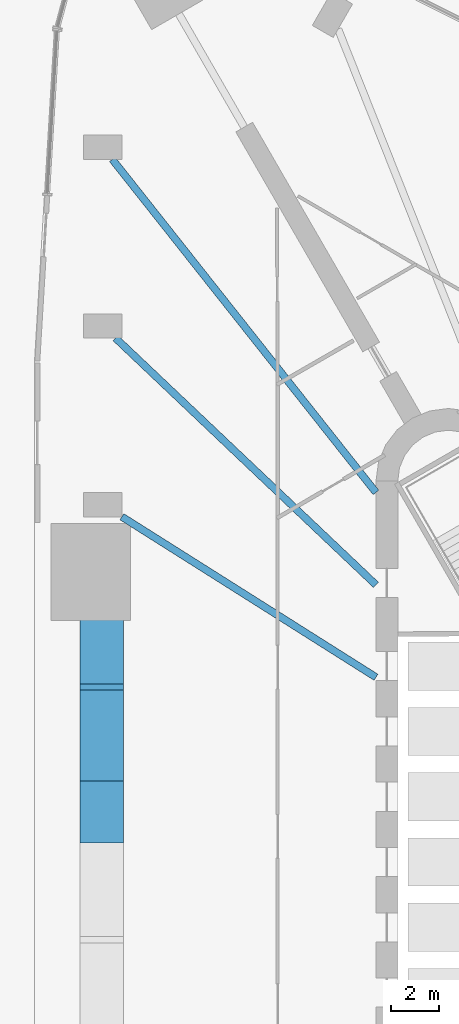
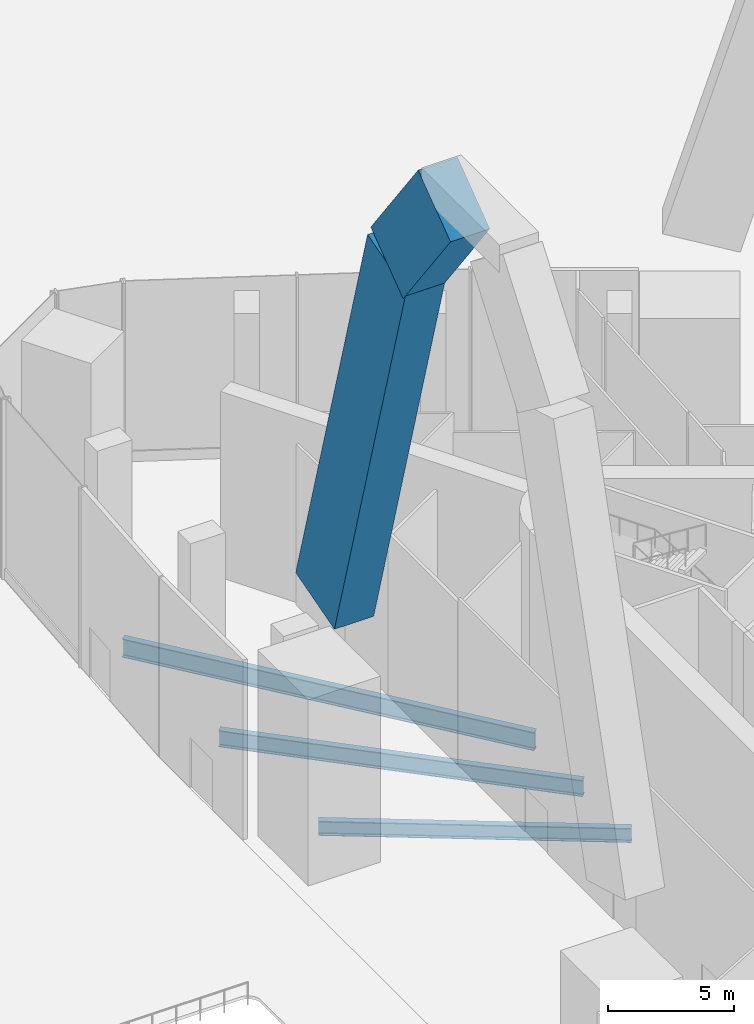
# One storey, part 3 of 22: 5 beams.
"""IFC4 building model written with IfcOpenShell, lengths in metres."""

from ifc_helpers import new_model, si_unit, direction, frame, origin, origin_2d, place, context, subcontext, project, spatial, rectangle, i_section, extrude, material, material_profile, profile_set, type_object, element, save


model = new_model("IFC4")

# Units and contexts
model_context = context("Model", 3, precision=1e-05, world=origin(), true_north=direction((0.0, 1.0)))
body_context = subcontext(model_context, "Body", "Model", "MODEL_VIEW")
ifc_project = project(units=[si_unit("LENGTHUNIT", "METRE"), si_unit("AREAUNIT", "SQUARE_METRE"), si_unit("VOLUMEUNIT", "CUBIC_METRE"), si_unit("PLANEANGLEUNIT", "RADIAN"), si_unit("MASSUNIT", "GRAM", prefix="KILO")], contexts=[model_context])

# Site, building, storey
site_placement = place(None, origin())
site = spatial("IfcSite", under=ifc_project, at=site_placement, CompositionType="ELEMENT")
building_placement = place(site_placement, origin())
building = spatial("IfcBuilding", under=site, at=building_placement, Name="Tanit Gate Tower", CompositionType="ELEMENT")
storey_placement = place(building_placement, origin())
storey = spatial("IfcBuildingStorey", under=building, at=storey_placement, Name="L00", CompositionType="ELEMENT", Elevation=0.0)

# Beams
ifc_material_1 = material(Name="Concrete C80/95", Category="concrete")
ifc_material_profile_1 = material_profile(ifc_material_1, rectangle(XDim=1.800048828125, YDim=3.199951171875, at=origin_2d()), Name="RC 1800x3200")
ifc_profile_set_1 = profile_set([ifc_material_profile_1], Name="Concrete C80/95")
beam_type_1 = type_object("IfcBeamType", Name="ARCH RIB RC 1800x3200 C80/95", PredefinedType="USERDEFINED", material=ifc_profile_set_1)
beam_1_placement = place(storey_placement, frame((-23.453369140625, 11.53759765625, 12.442626953125), z_axis=(0.0, -0.276635672807, 0.960974871956), x_axis=(1.0, 0.0, 0.0)))
element("IfcBeam", 1, at=beam_1_placement, inside=storey, type_object=beam_type_1, Name="ARCH RIB", ObjectType="ARCH RIB", PredefinedType="USERDEFINED", context=body_context, shape_type="SweptSolid", body=[
    extrude(rectangle(XDim=1.800048828125, YDim=3.199951171875, at=origin_2d()), origin(), (0.0, 0.0, 1.0), 20.625732421875),
])
beam_2_placement = place(storey_placement, frame((-23.453369140625, 5.831787109375, 32.263427734375), z_axis=(0.0, -0.598157448459, 0.80137860394), x_axis=(1.0, 0.0, 0.0)))
element("IfcBeam", 2, at=beam_2_placement, inside=storey, type_object=beam_type_1, Name="ARCH RIB", ObjectType="ARCH RIB", PredefinedType="USERDEFINED", context=body_context, shape_type="SweptSolid", body=[
    extrude(rectangle(XDim=1.800048828125, YDim=3.199951171875, at=origin_2d()), origin(), (0.0, 0.0, 1.0), 6.28076171875),
])
ifc_material_2 = material(Name="Steel S355", Category="steel")
ifc_material_profile_2 = material_profile(ifc_material_2, i_section(OverallWidth=0.300048828125, OverallDepth=0.68994140625, WebThickness=0.014404296875, FlangeThickness=0.027099609375, FilletRadius=0.027099609375, at=origin_2d()), Name="HEA 700")
ifc_profile_set_2 = profile_set([ifc_material_profile_2], Name="Steel S355")
beam_type_2 = type_object("IfcBeamType", Name="RADIAL GIRDER HEA 700 S355", PredefinedType="BEAM", material=ifc_profile_set_2)
beam_3_placement = place(storey_placement, frame((-22.61181640625, 14.282958984375, -0.7451171875), z_axis=(0.845455299751, -0.534046192874, 0.0), x_axis=(0.534046192874, 0.845455299751, 0.0)))
element("IfcBeam", 3, at=beam_3_placement, inside=storey, type_object=beam_type_2, Name="RADIAL GIRDER", PredefinedType="BEAM", context=body_context, shape_type="SweptSolid", body=[
    extrude(i_section(OverallWidth=0.300048828125, OverallDepth=0.68994140625, WebThickness=0.014404296875, FlangeThickness=0.027099609375, FilletRadius=0.027099609375, at=origin_2d()), origin(), (0.0, 0.0, 1.0), 12.430908203125),
])
ifc_material_3 = material(Name="Steel S355", Category="steel")
ifc_material_profile_3 = material_profile(ifc_material_3, i_section(OverallWidth=0.300048828125, OverallDepth=0.7900390625, WebThickness=0.014892578125, FlangeThickness=0.028076171875, FilletRadius=0.030029296875, at=origin_2d()), Name="HEA 800")
ifc_profile_set_3 = profile_set([ifc_material_profile_3], Name="Steel S355")
beam_type_3 = type_object("IfcBeamType", Name="RADIAL GIRDER HEA 800 S355", PredefinedType="BEAM", material=ifc_profile_set_3)
beam_4_placement = place(storey_placement, frame((-22.875732421875, 21.67431640625, -0.794921875), z_axis=(0.725906863399, -0.687793010774, 0.0), x_axis=(0.687793010774, 0.725906863399, 0.0)))
element("IfcBeam", 4, at=beam_4_placement, inside=storey, type_object=beam_type_3, Name="RADIAL GIRDER", PredefinedType="BEAM", context=body_context, shape_type="SweptSolid", body=[
    extrude(i_section(OverallWidth=0.300048828125, OverallDepth=0.7900390625, WebThickness=0.014892578125, FlangeThickness=0.028076171875, FilletRadius=0.030029296875, at=origin_2d()), origin(), (0.0, 0.0, 1.0), 14.841796875),
])
ifc_material_4 = material(Name="Steel S355", Category="steel")
ifc_material_profile_4 = material_profile(ifc_material_4, i_section(OverallWidth=0.300048828125, OverallDepth=0.889892578125, WebThickness=0.01611328125, FlangeThickness=0.030029296875, FilletRadius=0.030029296875, at=origin_2d()), Name="HEA 900")
ifc_profile_set_4 = profile_set([ifc_material_profile_4], Name="Steel S355")
beam_type_4 = type_object("IfcBeamType", Name="RADIAL GIRDER HEA 900 S355", PredefinedType="BEAM", material=ifc_profile_set_4)
beam_5_placement = place(storey_placement, frame((-23.007568359375, 29.06591796875, -0.844970703125), z_axis=(0.620648848158, -0.784088647591, 0.0), x_axis=(0.784088647591, 0.620648848158, 0.0)))
element("IfcBeam", 5, at=beam_5_placement, inside=storey, type_object=beam_type_4, Name="RADIAL GIRDER", PredefinedType="BEAM", context=body_context, shape_type="SweptSolid", body=[
    extrude(i_section(OverallWidth=0.300048828125, OverallDepth=0.889892578125, WebThickness=0.01611328125, FlangeThickness=0.030029296875, FilletRadius=0.030029296875, at=origin_2d()), origin(), (0.0, 0.0, 1.0), 17.571044921875),
])

save(model, "model.ifc")
